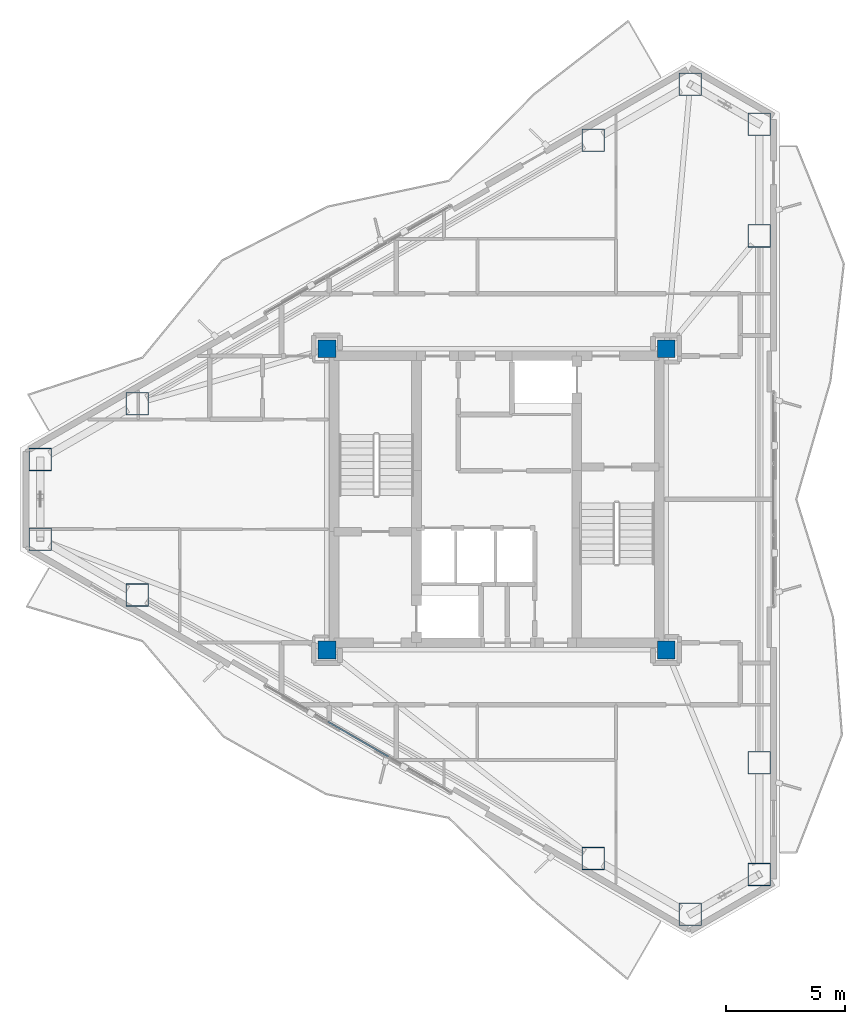
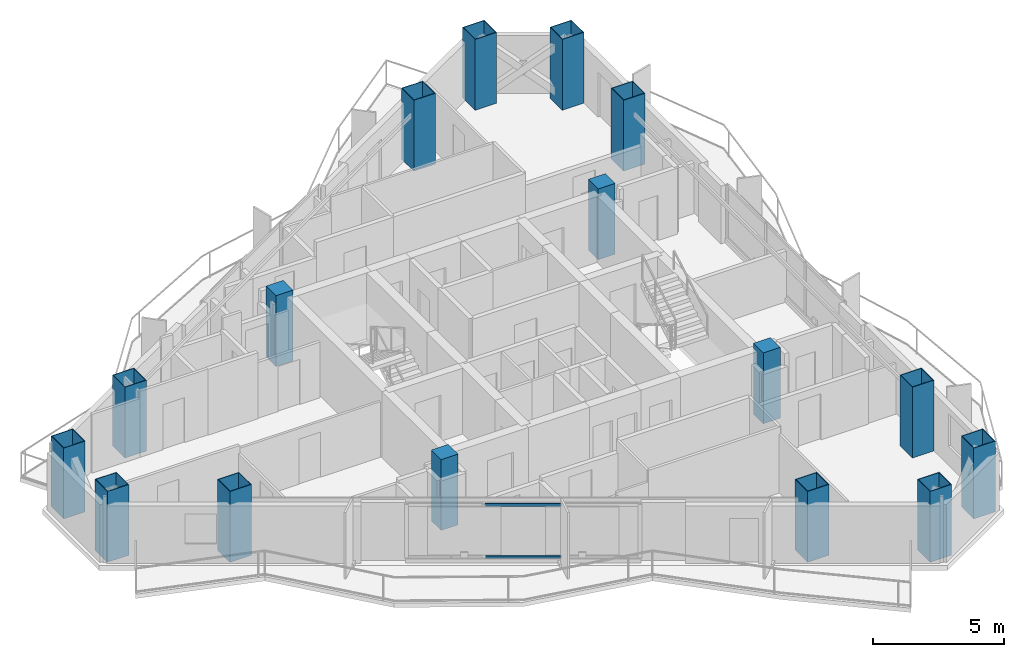
# One storey, part 1 of 22: 16 columns, 2 members, 1 element without a shape of its own.
"""IFC4 building model written with IfcOpenShell, lengths in metres."""

from ifc_helpers import new_model, si_unit, direction, frame, origin, origin_2d, place, context, subcontext, project, spatial, rectangle, hollow_rectangle, extrude, material, layer, layer_set, material_profile, profile_set, type_object, element, aggregate, save


model = new_model("IFC4")

# Units and contexts
model_context = context("Model", 3, precision=1e-05, world=origin(), true_north=direction((0.0, 1.0)))
body_context = subcontext(model_context, "Body", "Model", "MODEL_VIEW")
ifc_project = project(units=[si_unit("LENGTHUNIT", "METRE"), si_unit("AREAUNIT", "SQUARE_METRE"), si_unit("VOLUMEUNIT", "CUBIC_METRE"), si_unit("PLANEANGLEUNIT", "RADIAN"), si_unit("MASSUNIT", "GRAM", prefix="KILO")], contexts=[model_context])

# Site, building, storey
site_placement = place(None, origin())
site = spatial("IfcSite", under=ifc_project, at=site_placement, CompositionType="ELEMENT")
building_placement = place(site_placement, origin())
building = spatial("IfcBuilding", under=site, at=building_placement, Name="Mersakhor Tower and Convention Hall", CompositionType="ELEMENT")
storey_placement = place(building_placement, frame((0.0, 0.0, 188.699951171875)))
storey = spatial("IfcBuildingStorey", under=building, at=storey_placement, Name="L52", CompositionType="ELEMENT", Elevation=188.699951171875)

# Columns
ifc_material_1 = material(Name="Concrete C60/75 in S460M steel box", Category="concrete")
ifc_material_profile_1 = material_profile(ifc_material_1, hollow_rectangle(XDim=0.949951171875, YDim=0.949951171875, WallThickness=0.028076171875, at=origin_2d()), Name="SHS 950x950x28")
ifc_profile_set_1 = profile_set([ifc_material_profile_1], Name="Concrete C60/75 in S460M steel box")
column_type_1 = type_object("IfcColumnType", Name="COL-CFT-950", PredefinedType="COLUMN", material=ifc_profile_set_1)
for number, where, z_axis, x_axis, name in (
    (1, (9.907470703125, 28.415283203125, 0.0), (0.0, 0.0, 1.0), (1.0, 0.0, 0.0), "L52 Perimeter Mega-Column MC-01"),
    (2, (13.959716796875, 30.7548828125, 0.0), (0.0, 0.0, 1.0), (1.0, 0.0, 0.0), "L52 Perimeter Mega-Column MC-02"),
    (3, (33.0517578125, 41.777587890625, 0.0), (0.0, 0.0, 1.0), (1.0, 0.0, 0.0), "L52 Perimeter Mega-Column MC-03"),
    (4, (37.10400390625, 44.1171875, 0.0), (0.0, 0.0, 1.0), (1.0, 0.0, 0.0), "L52 Perimeter Mega-Column MC-04"),
    (5, (39.98828125, 42.451904296875, 0.0), (0.0, 0.0, 1.0), (1.0, 0.0, 0.0), "L52 Perimeter Mega-Column MC-05"),
    (6, (39.98828125, 37.772705078125, 0.0), (0.0, 0.0, 1.0), (1.0, 0.0, 0.0), "L52 Perimeter Mega-Column MC-06"),
    (7, (39.98828125, 15.727294921875, 0.0), (0.0, 0.0, 1.0), (1.0, 0.0, 0.0), "L52 Perimeter Mega-Column MC-07"),
    (8, (39.98828125, 11.048095703125, 0.0), (0.0, 0.0, 1.0), (1.0, 0.0, 0.0), "L52 Perimeter Mega-Column MC-08"),
    (9, (37.10400390625, 9.3828125, 0.0), (0.0, 0.0, 1.0), (1.0, 0.0, 0.0), "L52 Perimeter Mega-Column MC-09"),
    (10, (33.0517578125, 11.722412109375, 0.0), (0.0, 0.0, 1.0), (1.0, 0.0, 0.0), "L52 Perimeter Mega-Column MC-10"),
    (11, (13.959716796875, 22.7451171875, 0.0), (0.0, 0.0, 1.0), (1.0, 0.0, 0.0), "L52 Perimeter Mega-Column MC-11"),
    (12, (9.907470703125, 25.084716796875, 0.0), (0.0, 0.0, 1.0), (1.0, 0.0, 0.0), "L52 Perimeter Mega-Column MC-12"),
):
    element("IfcColumn", number, at=place(storey_placement, frame(where, z_axis=z_axis, x_axis=x_axis)), inside=storey, type_object=column_type_1, Name=name, PredefinedType="COLUMN", context=body_context, shape_type="SweptSolid", body=[
        extrude(hollow_rectangle(XDim=0.949951171875, YDim=0.949951171875, WallThickness=0.028076171875, at=origin_2d()), origin(), (0.0, 0.0, 1.0), 3.300048828125),
    ])
ifc_material_2 = material(Name="Concrete C50/60", Category="concrete")
ifc_material_profile_2 = material_profile(ifc_material_2, rectangle(XDim=0.75, YDim=0.75, at=origin_2d()), Name="RC 750x750")
ifc_profile_set_2 = profile_set([ifc_material_profile_2], Name="Concrete C50/60")
column_type_2 = type_object("IfcColumnType", Name="COL-RC-750", PredefinedType="COLUMN", material=ifc_profile_set_2)
for number, where, z_axis, x_axis, name in (
    (13, (21.89990234375, 20.449951171875, 0.0), (0.0, 0.0, 1.0), (1.0, 0.0, 0.0), "L52 Core Corner Column CC-1"),
    (14, (21.89990234375, 33.050048828125, 0.0), (0.0, 0.0, 1.0), (1.0, 0.0, 0.0), "L52 Core Corner Column CC-2"),
    (15, (36.10009765625, 33.050048828125, 0.0), (0.0, 0.0, 1.0), (1.0, 0.0, 0.0), "L52 Core Corner Column CC-3"),
    (16, (36.10009765625, 20.449951171875, 0.0), (0.0, 0.0, 1.0), (1.0, 0.0, 0.0), "L52 Core Corner Column CC-4"),
):
    element("IfcColumn", number, at=place(storey_placement, frame(where, z_axis=z_axis, x_axis=x_axis)), inside=storey, type_object=column_type_2, Name=name, PredefinedType="COLUMN", context=body_context, shape_type="SweptSolid", body=[
        extrude(rectangle(XDim=0.75, YDim=0.75, at=origin_2d()), origin(), (0.0, 0.0, 1.0), 3.300048828125),
    ])

# Curtain wall, members
ifc_material_3 = material(Name="Dark solar low-E aluminium curtain wall", Category="aluminium")
ifc_layer = layer(ifc_material_3, 0.169921875)
ifc_layer_set = layer_set([ifc_layer], Name="Dark solar low-E aluminium curtain wall")
curtain_wall_type = type_object("IfcCurtainWallType", Name="CW-SYS-02", PredefinedType="USERDEFINED", material=ifc_layer_set)
curtain_wall_placement = place(storey_placement, origin())
curtain_wall = element("IfcCurtainWall", 17, at=curtain_wall_placement, inside=storey, type_object=curtain_wall_type, Name="L52 Dark-Glass Curtain Wall F3-B2", ObjectType="CURTAIN WALL", PredefinedType="USERDEFINED")
ifc_material_4 = material(Name="Anodised aluminium EN AW-6063 T6", Category="aluminium")
ifc_material_profile_3 = material_profile(ifc_material_4, hollow_rectangle(XDim=0.06005859375, YDim=0.1201171875, WallThickness=0.0048828125, at=origin_2d()), Name="RHS 120x60x5")
ifc_profile_set_3 = profile_set([ifc_material_profile_3], Name="Anodised aluminium EN AW-6063 T6")
member_type = type_object("IfcMemberType", Name="CWT-120x60", PredefinedType="USERDEFINED", material=ifc_profile_set_3)
member_1_placement = place(storey_placement, frame((24.47216796875, 15.98291015625, 0.22998046875), z_axis=(-0.866004860328, 0.500035580622, 0.0), x_axis=(-0.500035580622, -0.866004860328, 0.0)))
member_1 = element("IfcMember", 18, at=member_1_placement, type_object=member_type, Name="CW-02 transom 2.1", ObjectType="TRANSOM", PredefinedType="USERDEFINED", context=body_context, shape_type="SweptSolid", body=[
    extrude(hollow_rectangle(XDim=0.06005859375, YDim=0.1201171875, WallThickness=0.0048828125, at=origin_2d()), origin(), (0.0, 0.0, 1.0), 2.924560546875),
])
member_2_placement = place(storey_placement, frame((24.47216796875, 15.98291015625, 2.66015625), z_axis=(-0.866004860328, 0.500035580622, 0.0), x_axis=(-0.500035580622, -0.866004860328, 0.0)))
member_2 = element("IfcMember", 19, at=member_2_placement, type_object=member_type, Name="CW-02 transom 2.2", ObjectType="TRANSOM", PredefinedType="USERDEFINED", context=body_context, shape_type="SweptSolid", body=[
    extrude(hollow_rectangle(XDim=0.06005859375, YDim=0.1201171875, WallThickness=0.0048828125, at=origin_2d()), origin(), (0.0, 0.0, 1.0), 2.924560546875),
])
aggregate(curtain_wall, [member_1, member_2])

save(model, "model.ifc")
